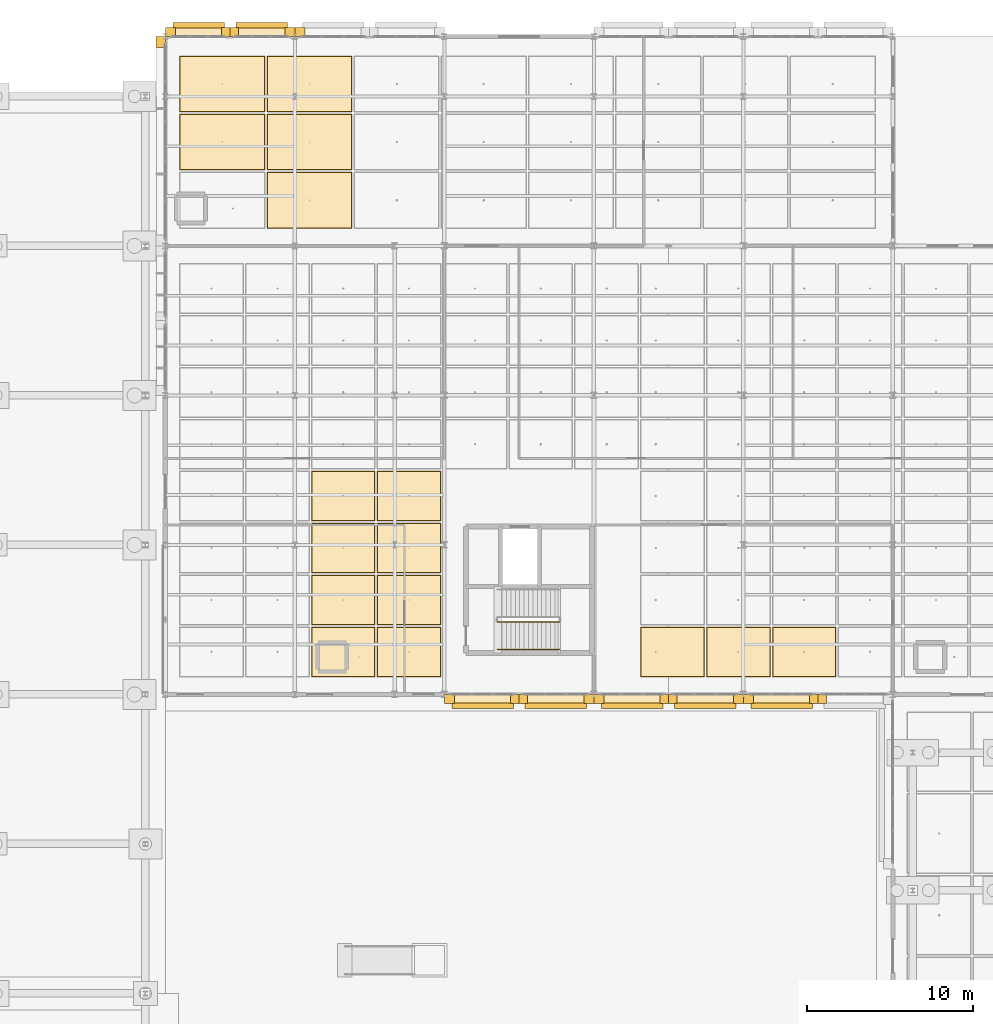
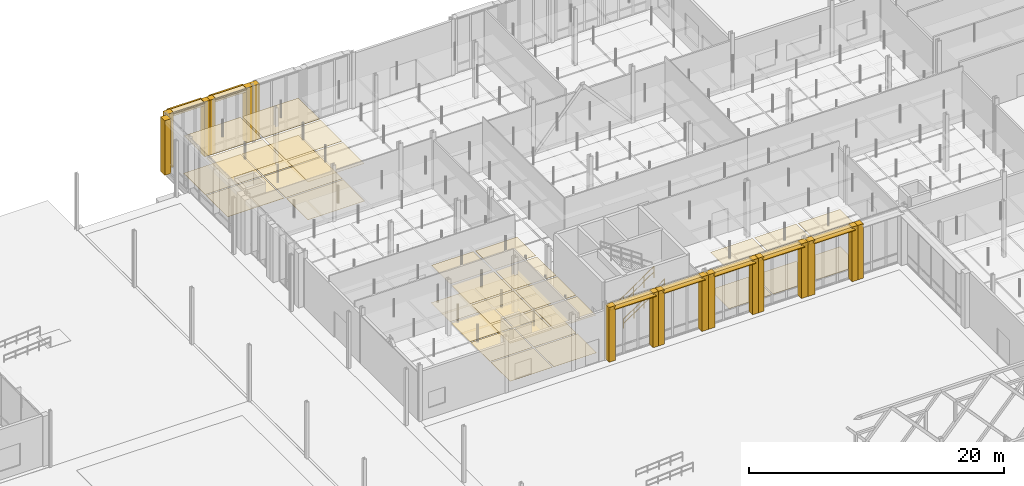
# One storey, part 172 of 180: 56 coverings, 7 shading devices, 2 railings.
"""IFC4 building model written with IfcOpenShell, lengths in metres."""

from ifc_helpers import new_model, si_unit, direction, frame, origin, origin_2d, place, context, subcontext, project, spatial, rectangle, circle, extrude, material, layer, layer_set, type_object, element, save


model = new_model("IFC4")

# Units and contexts
model_context = context("Model", 3, precision=1e-05, world=origin(), true_north=direction((0.0, 1.0)))
body_context = subcontext(model_context, "Body", "Model", "MODEL_VIEW")
ifc_project = project(units=[si_unit("LENGTHUNIT", "METRE"), si_unit("AREAUNIT", "SQUARE_METRE"), si_unit("VOLUMEUNIT", "CUBIC_METRE"), si_unit("PLANEANGLEUNIT", "RADIAN"), si_unit("MASSUNIT", "GRAM", prefix="KILO"), si_unit("THERMODYNAMICTEMPERATUREUNIT", "KELVIN"), si_unit("POWERUNIT", "WATT")], contexts=[model_context])

# Site, building, storey
site_placement = place(None, origin())
site = spatial("IfcSite", under=ifc_project, at=site_placement, CompositionType="ELEMENT")
building_placement = place(site_placement, origin())
building = spatial("IfcBuilding", under=site, at=building_placement, Name="Tallowbark Science Centre", CompositionType="ELEMENT")
storey_placement = place(building_placement, origin())
storey = spatial("IfcBuildingStorey", under=building, at=storey_placement, Name="L00", CompositionType="ELEMENT", Elevation=0.0)

# Coverings
ifc_material_1 = material(Name="Cleanable Vinyl-Faced Laboratory Ceiling Tile")
ifc_layer_1 = layer(ifc_material_1, 0.01611328125)
ifc_layer_set_1 = layer_set([ifc_layer_1], Name="Cleanable Vinyl-Faced Laboratory Ceiling Tile")
covering_type_1 = type_object("IfcCoveringType", Name="CLG-LAB-16", PredefinedType="CEILING", material=ifc_layer_set_1)
for number, where, z_axis, x_axis, name in (
    (1, (65.91064453125, 74.5625, 3.592041015625), (0.0, 0.0, 1.0), (1.0, 0.0, 0.0), "Suspended Ceiling L00-313"),
    (2, (65.91064453125, 77.6875, 3.592041015625), (0.0, 0.0, 1.0), (1.0, 0.0, 0.0), "Suspended Ceiling L00-314"),
    (3, (65.91064453125, 80.8125, 3.592041015625), (0.0, 0.0, 1.0), (1.0, 0.0, 0.0), "Suspended Ceiling L00-315"),
    (4, (65.91064453125, 83.9375, 3.592041015625), (0.0, 0.0, 1.0), (1.0, 0.0, 0.0), "Suspended Ceiling L00-316"),
    (5, (69.875, 74.5625, 3.592041015625), (0.0, 0.0, 1.0), (1.0, 0.0, 0.0), "Suspended Ceiling L00-321"),
    (6, (69.875, 77.6875, 3.592041015625), (0.0, 0.0, 1.0), (1.0, 0.0, 0.0), "Suspended Ceiling L00-322"),
    (7, (69.875, 80.8125, 3.592041015625), (0.0, 0.0, 1.0), (1.0, 0.0, 0.0), "Suspended Ceiling L00-323"),
    (8, (69.875, 83.9375, 3.592041015625), (0.0, 0.0, 1.0), (1.0, 0.0, 0.0), "Suspended Ceiling L00-324"),
    (9, (85.732177734375, 74.5625, 3.592041015625), (0.0, 0.0, 1.0), (1.0, 0.0, 0.0), "Suspended Ceiling L00-341"),
    (10, (89.6962890625, 74.5625, 3.592041015625), (0.0, 0.0, 1.0), (1.0, 0.0, 0.0), "Suspended Ceiling L00-349"),
    (11, (93.66064453125, 74.5625, 3.592041015625), (0.0, 0.0, 1.0), (1.0, 0.0, 0.0), "Suspended Ceiling L00-357"),
):
    element("IfcCovering", number, at=place(storey_placement, frame(where, z_axis=z_axis, x_axis=x_axis)), inside=storey, type_object=covering_type_1, Name=name, PredefinedType="CEILING", context=body_context, shape_type="SweptSolid", body=[
        extrude(rectangle(XDim=3.7841796875, YDim=2.945068359375, at=origin_2d()), origin(), (0.0, 0.0, 1.0), 0.01611328125),
    ])
ifc_material_2 = material(Name="Perforated Spotted Gum Acoustic Baffle Ceiling", Category="wood")
ifc_layer_2 = layer(ifc_material_2, 0.02490234375)
ifc_layer_set_2 = layer_set([ifc_layer_2], Name="Perforated Spotted Gum Acoustic Baffle Ceiling")
covering_type_2 = type_object("IfcCoveringType", Name="CLG-TIM-25", PredefinedType="CEILING", material=ifc_layer_set_2)
for number, where, z_axis, x_axis, name in (
    (12, (58.625, 105.25, 3.587646484375), (0.0, 0.0, 1.0), (1.0, 0.0, 0.0), "Suspended Ceiling L00-398"),
    (13, (58.625, 108.75, 3.587646484375), (0.0, 0.0, 1.0), (1.0, 0.0, 0.0), "Suspended Ceiling L00-399"),
    (14, (63.875, 101.75, 3.587646484375), (0.0, 0.0, 1.0), (1.0, 0.0, 0.0), "Suspended Ceiling L00-400"),
    (15, (63.875, 105.25, 3.587646484375), (0.0, 0.0, 1.0), (1.0, 0.0, 0.0), "Suspended Ceiling L00-401"),
    (16, (63.875, 108.75, 3.587646484375), (0.0, 0.0, 1.0), (1.0, 0.0, 0.0), "Suspended Ceiling L00-402"),
):
    element("IfcCovering", number, at=place(storey_placement, frame(where, z_axis=z_axis, x_axis=x_axis)), inside=storey, type_object=covering_type_2, Name=name, PredefinedType="CEILING", context=body_context, shape_type="SweptSolid", body=[
        extrude(rectangle(XDim=5.070068359375, YDim=3.320068359375, at=origin_2d()), origin(), (0.0, 0.0, 1.0), 0.02490234375),
    ])
ifc_material_3 = material(Name="White Architectural Precast Concrete Grade N40 (40 MPa)", Category="concrete")
ifc_layer_3 = layer(ifc_material_3, 0.1201171875)
ifc_layer_set_3 = layer_set([ifc_layer_3], Name="White Architectural Precast Concrete Grade N40 (40 MPa)")
covering_type_3 = type_object("IfcCoveringType", Name="COV-PRC-CLAD", PredefinedType="CLADDING", material=ifc_layer_set_3)
covering_1_placement = place(storey_placement, frame((72.304931640625, 71.719970703125, 0.0), z_axis=(0.0, 0.0, 1.0), x_axis=(1.0, 0.0, 0.0)))
element("IfcCovering", 17, at=covering_1_placement, inside=storey, type_object=covering_type_3, Name="Postmodern Deep Precast Pier CW-L00-022-1", PredefinedType="CLADDING", context=body_context, shape_type="SweptSolid", body=[
    extrude(rectangle(XDim=0.610107421875, YDim=0.56005859375, at=origin_2d()), origin(), (0.0, 0.0, 1.0), 5.219970703125),
])
for number, where, z_axis, x_axis, name in (
    (18, (76.2451171875, 71.719970703125, 0.0), (0.0, 0.0, 1.0), (1.0, 0.0, 0.0), "Postmodern Deep Precast Pier CW-L00-022-2"),
    (19, (76.7548828125, 71.719970703125, 0.0), (0.0, 0.0, 1.0), (1.0, 0.0, 0.0), "Postmodern Deep Precast Pier CW-L00-023-1"),
):
    element("IfcCovering", number, at=place(storey_placement, frame(where, z_axis=z_axis, x_axis=x_axis)), inside=storey, type_object=covering_type_3, Name=name, PredefinedType="CLADDING", context=body_context, shape_type="SweptSolid", body=[
        extrude(rectangle(XDim=0.510009765625, YDim=0.56005859375, at=origin_2d()), origin(), (0.0, 0.0, 1.0), 5.219970703125),
    ])
for number, where, z_axis, x_axis, name in (
    (20, (80.695068359375, 71.719970703125, 0.0), (0.0, 0.0, 1.0), (1.0, 0.0, 0.0), "Postmodern Deep Precast Pier CW-L00-023-2"),
    (21, (81.304931640625, 71.719970703125, 0.0), (0.0, 0.0, 1.0), (1.0, 0.0, 0.0), "Postmodern Deep Precast Pier CW-L00-024-1"),
):
    element("IfcCovering", number, at=place(storey_placement, frame(where, z_axis=z_axis, x_axis=x_axis)), inside=storey, type_object=covering_type_3, Name=name, PredefinedType="CLADDING", context=body_context, shape_type="SweptSolid", body=[
        extrude(rectangle(XDim=0.610107421875, YDim=0.56005859375, at=origin_2d()), origin(), (0.0, 0.0, 1.0), 5.219970703125),
    ])
for number, where, z_axis, x_axis, name in (
    (22, (85.2451171875, 71.719970703125, 0.0), (0.0, 0.0, 1.0), (1.0, 0.0, 0.0), "Postmodern Deep Precast Pier CW-L00-024-2"),
    (23, (85.7548828125, 71.719970703125, 0.0), (0.0, 0.0, 1.0), (1.0, 0.0, 0.0), "Postmodern Deep Precast Pier CW-L00-025-1"),
):
    element("IfcCovering", number, at=place(storey_placement, frame(where, z_axis=z_axis, x_axis=x_axis)), inside=storey, type_object=covering_type_3, Name=name, PredefinedType="CLADDING", context=body_context, shape_type="SweptSolid", body=[
        extrude(rectangle(XDim=0.510009765625, YDim=0.56005859375, at=origin_2d()), origin(), (0.0, 0.0, 1.0), 5.219970703125),
    ])
for number, where, z_axis, x_axis, name in (
    (24, (89.695068359375, 71.719970703125, 0.0), (0.0, 0.0, 1.0), (1.0, 0.0, 0.0), "Postmodern Deep Precast Pier CW-L00-025-2"),
    (25, (90.304931640625, 71.719970703125, 0.0), (0.0, 0.0, 1.0), (1.0, 0.0, 0.0), "Postmodern Deep Precast Pier CW-L00-026-1"),
):
    element("IfcCovering", number, at=place(storey_placement, frame(where, z_axis=z_axis, x_axis=x_axis)), inside=storey, type_object=covering_type_3, Name=name, PredefinedType="CLADDING", context=body_context, shape_type="SweptSolid", body=[
        extrude(rectangle(XDim=0.610107421875, YDim=0.56005859375, at=origin_2d()), origin(), (0.0, 0.0, 1.0), 5.219970703125),
    ])
for number, where, z_axis, x_axis, name in (
    (26, (94.2451171875, 71.719970703125, 0.0), (0.0, 0.0, 1.0), (1.0, 0.0, 0.0), "Postmodern Deep Precast Pier CW-L00-026-2"),
    (27, (94.7548828125, 71.719970703125, 0.0), (0.0, 0.0, 1.0), (1.0, 0.0, 0.0), "Postmodern Deep Precast Pier CW-L00-027-1"),
):
    element("IfcCovering", number, at=place(storey_placement, frame(where, z_axis=z_axis, x_axis=x_axis)), inside=storey, type_object=covering_type_3, Name=name, PredefinedType="CLADDING", context=body_context, shape_type="SweptSolid", body=[
        extrude(rectangle(XDim=0.510009765625, YDim=0.56005859375, at=origin_2d()), origin(), (0.0, 0.0, 1.0), 5.219970703125),
    ])
covering_2_placement = place(storey_placement, frame((62.695068359375, 111.8798828125, 0.0), z_axis=(0.0, 0.0, 1.0), x_axis=(-1.0, 0.0, 0.0)))
element("IfcCovering", 28, at=covering_2_placement, inside=storey, type_object=covering_type_3, Name="Postmodern Deep Precast Pier CW-L00-030-1", PredefinedType="CLADDING", context=body_context, shape_type="SweptSolid", body=[
    extrude(rectangle(XDim=0.610107421875, YDim=0.56005859375, at=origin_2d()), origin(), (0.0, 0.0, 1.0), 5.219970703125),
])
for number, where, z_axis, x_axis, name in (
    (29, (59.35498046875, 111.8798828125, 0.0), (0.0, 0.0, 1.0), (-1.0, 0.0, 0.0), "Postmodern Deep Precast Pier CW-L00-030-2"),
    (30, (58.844970703125, 111.8798828125, 0.0), (0.0, 0.0, 1.0), (-1.0, 0.0, 0.0), "Postmodern Deep Precast Pier CW-L00-031-1"),
):
    element("IfcCovering", number, at=place(storey_placement, frame(where, z_axis=z_axis, x_axis=x_axis)), inside=storey, type_object=covering_type_3, Name=name, PredefinedType="CLADDING", context=body_context, shape_type="SweptSolid", body=[
        extrude(rectangle(XDim=0.510009765625, YDim=0.56005859375, at=origin_2d()), origin(), (0.0, 0.0, 1.0), 5.219970703125),
    ])
for number, where, z_axis, x_axis, name in (
    (31, (55.5048828125, 111.8798828125, 0.0), (0.0, 0.0, 1.0), (-1.0, 0.0, 0.0), "Postmodern Deep Precast Pier CW-L00-031-2"),
    (32, (63.304931640625, 111.8798828125, 0.0), (0.0, 0.0, 1.0), (-1.0, 0.0, 0.0), "Postmodern Deep Precast Pier CW-L00-033-2"),
):
    element("IfcCovering", number, at=place(storey_placement, frame(where, z_axis=z_axis, x_axis=x_axis)), inside=storey, type_object=covering_type_3, Name=name, PredefinedType="CLADDING", context=body_context, shape_type="SweptSolid", body=[
        extrude(rectangle(XDim=0.610107421875, YDim=0.56005859375, at=origin_2d()), origin(), (0.0, 0.0, 1.0), 5.219970703125),
    ])
covering_3_placement = place(storey_placement, frame((54.919921875, 111.27001953125, 0.0), z_axis=(0.0, 0.0, 1.0), x_axis=(0.0, -1.0, 0.0)))
element("IfcCovering", 33, at=covering_3_placement, inside=storey, type_object=covering_type_3, Name="Postmodern Deep Precast Pier CW-L00-038-1", PredefinedType="CLADDING", context=body_context, shape_type="SweptSolid", body=[
    extrude(rectangle(XDim=0.659912109375, YDim=0.56005859375, at=origin_2d()), origin(), (0.0, 0.0, 1.0), 5.219970703125),
])
ifc_material_4 = material(Name="Vitrified Ochre Terracotta Architectural Rainscreen", Category="masonry")
ifc_layer_4 = layer(ifc_material_4, 0.0380859375)
ifc_layer_set_4 = layer_set([ifc_layer_4], Name="Vitrified Ochre Terracotta Architectural Rainscreen")
covering_type_4 = type_object("IfcCoveringType", Name="COV-TER-CLAD", PredefinedType="CLADDING", material=ifc_layer_set_4)
for number, where, z_axis, x_axis, name in (
    (34, (74.300048828125, 71.739990234375, 4.8701171875), (0.0, 0.0, 1.0), (1.0, 0.0, 0.0), "Postmodern Terracotta Cornice Band CW-L00-022"),
    (35, (78.699951171875, 71.739990234375, 4.8701171875), (0.0, 0.0, 1.0), (1.0, 0.0, 0.0), "Postmodern Terracotta Cornice Band CW-L00-023"),
    (36, (83.300048828125, 71.739990234375, 4.8701171875), (0.0, 0.0, 1.0), (1.0, 0.0, 0.0), "Postmodern Terracotta Cornice Band CW-L00-024"),
    (37, (87.699951171875, 71.739990234375, 4.8701171875), (0.0, 0.0, 1.0), (1.0, 0.0, 0.0), "Postmodern Terracotta Cornice Band CW-L00-025"),
    (38, (92.300048828125, 71.739990234375, 4.8701171875), (0.0, 0.0, 1.0), (1.0, 0.0, 0.0), "Postmodern Terracotta Cornice Band CW-L00-026"),
):
    element("IfcCovering", number, at=place(storey_placement, frame(where, z_axis=z_axis, x_axis=x_axis)), inside=storey, type_object=covering_type_4, Name=name, PredefinedType="CLADDING", context=body_context, shape_type="SweptSolid", body=[
        extrude(rectangle(XDim=4.300048828125, YDim=0.52001953125, at=origin_2d()), origin(), (0.0, 0.0, 1.0), 0.340087890625),
    ])
for number, where, z_axis, x_axis, name in (
    (39, (61.0, 111.860107421875, 4.8701171875), (0.0, 0.0, 1.0), (-1.0, 0.0, 0.0), "Postmodern Terracotta Cornice Band CW-L00-030"),
    (40, (57.199951171875, 111.860107421875, 4.8701171875), (0.0, 0.0, 1.0), (-1.0, 0.0, 0.0), "Postmodern Terracotta Cornice Band CW-L00-031"),
):
    element("IfcCovering", number, at=place(storey_placement, frame(where, z_axis=z_axis, x_axis=x_axis)), inside=storey, type_object=covering_type_4, Name=name, PredefinedType="CLADDING", context=body_context, shape_type="SweptSolid", body=[
        extrude(rectangle(XDim=3.699951171875, YDim=0.52001953125, at=origin_2d()), origin(), (0.0, 0.0, 1.0), 0.340087890625),
    ])
ifc_material_5 = material(Name="Polished Recycled-Glass Terrazzo Foyer Flooring", Category="glass")
ifc_layer_5 = layer(ifc_material_5, 0.02001953125)
ifc_layer_set_5 = layer_set([ifc_layer_5], Name="Polished Recycled-Glass Terrazzo Foyer Flooring")
covering_type_5 = type_object("IfcCoveringType", Name="FLR-TER-20", PredefinedType="FLOORING", material=ifc_layer_set_5)
for number, where, z_axis, x_axis, name in (
    (41, (58.625, 105.25, 0.0), (0.0, 0.0, 1.0), (1.0, 0.0, 0.0), "Floor Finish L00-398"),
    (42, (58.625, 108.75, 0.0), (0.0, 0.0, 1.0), (1.0, 0.0, 0.0), "Floor Finish L00-399"),
    (43, (63.875, 101.75, 0.0), (0.0, 0.0, 1.0), (1.0, 0.0, 0.0), "Floor Finish L00-400"),
    (44, (63.875, 105.25, 0.0), (0.0, 0.0, 1.0), (1.0, 0.0, 0.0), "Floor Finish L00-401"),
    (45, (63.875, 108.75, 0.0), (0.0, 0.0, 1.0), (1.0, 0.0, 0.0), "Floor Finish L00-402"),
):
    element("IfcCovering", number, at=place(storey_placement, frame(where, z_axis=z_axis, x_axis=x_axis)), inside=storey, type_object=covering_type_5, Name=name, PredefinedType="FLOORING", context=body_context, shape_type="SweptSolid", body=[
        extrude(rectangle(XDim=5.1298828125, YDim=3.3798828125, at=origin_2d()), origin(), (0.0, 0.0, 1.0), 0.02001953125),
    ])
ifc_material_6 = material(Name="Chemical-Resistant Seamless Laboratory Vinyl")
ifc_layer_6 = layer(ifc_material_6, 0.011962890625)
ifc_layer_set_6 = layer_set([ifc_layer_6], Name="Chemical-Resistant Seamless Laboratory Vinyl")
covering_type_6 = type_object("IfcCoveringType", Name="FLR-VIN-12", PredefinedType="FLOORING", material=ifc_layer_set_6)
for number, where, z_axis, x_axis, name in (
    (46, (65.91064453125, 74.5625, 0.0), (0.0, 0.0, 1.0), (1.0, 0.0, 0.0), "Floor Finish L00-313"),
    (47, (65.91064453125, 77.6875, 0.0), (0.0, 0.0, 1.0), (1.0, 0.0, 0.0), "Floor Finish L00-314"),
    (48, (65.91064453125, 80.8125, 0.0), (0.0, 0.0, 1.0), (1.0, 0.0, 0.0), "Floor Finish L00-315"),
    (49, (65.91064453125, 83.9375, 0.0), (0.0, 0.0, 1.0), (1.0, 0.0, 0.0), "Floor Finish L00-316"),
    (50, (69.875, 74.5625, 0.0), (0.0, 0.0, 1.0), (1.0, 0.0, 0.0), "Floor Finish L00-321"),
    (51, (69.875, 77.6875, 0.0), (0.0, 0.0, 1.0), (1.0, 0.0, 0.0), "Floor Finish L00-322"),
    (52, (69.875, 80.8125, 0.0), (0.0, 0.0, 1.0), (1.0, 0.0, 0.0), "Floor Finish L00-323"),
    (53, (69.875, 83.9375, 0.0), (0.0, 0.0, 1.0), (1.0, 0.0, 0.0), "Floor Finish L00-324"),
    (54, (85.732177734375, 74.5625, 0.0), (0.0, 0.0, 1.0), (1.0, 0.0, 0.0), "Floor Finish L00-341"),
    (55, (89.6962890625, 74.5625, 0.0), (0.0, 0.0, 1.0), (1.0, 0.0, 0.0), "Floor Finish L00-349"),
    (56, (93.66064453125, 74.5625, 0.0), (0.0, 0.0, 1.0), (1.0, 0.0, 0.0), "Floor Finish L00-357"),
):
    element("IfcCovering", number, at=place(storey_placement, frame(where, z_axis=z_axis, x_axis=x_axis)), inside=storey, type_object=covering_type_6, Name=name, PredefinedType="FLOORING", context=body_context, shape_type="SweptSolid", body=[
        extrude(rectangle(XDim=3.84423828125, YDim=3.0048828125, at=origin_2d()), origin(), (0.0, 0.0, 1.0), 0.011962890625),
    ])

# Railings
ifc_material_7 = material(Name="Galvanised Painted Steel and Laminated Glass Balustrade", Category="steel")
ifc_layer_7 = layer(ifc_material_7, 0.070068359375)
ifc_layer_set_7 = layer_set([ifc_layer_7], Name="Galvanised Painted Steel and Laminated Glass Balustrade")
railing_type_1 = type_object("IfcRailingType", Name="RLG-BAL-1150", PredefinedType="BALUSTRADE", material=ifc_layer_set_7)
railing_1_placement = place(storey_placement, frame((75.2099609375, 76.360107421875, 0.179931640625)))
element("IfcRailing", 57, at=railing_1_placement, inside=storey, type_object=railing_type_1, Name="L00 ST-01 stair guard 1", PredefinedType="BALUSTRADE", context=body_context, shape_type="SweptSolid", body=[
    extrude(circle(Radius=0.02392578125, at=origin_2d()), frame((0.0, 0.0, 1.076171875), z_axis=(0.827211917306, 0.0, 0.561890063861), x_axis=(0.0, 1.0, 0.0)), (0.0, 0.0, 1.0), 4.48486328125),
    extrude(circle(Radius=0.02392578125, at=origin_2d()), frame((0.0, 0.0, 0.550048828125), z_axis=(0.827211917306, 0.0, 0.561890063861), x_axis=(0.0, 1.0, 0.0)), (0.0, 0.0, 1.0), 4.48486328125),
    extrude(circle(Radius=0.02099609375, at=origin_2d()), origin(), (0.0, 0.0, 1.0), 1.052001953125),
    extrude(circle(Radius=0.02099609375, at=origin_2d()), frame((0.927490234375, 0.0, 0.6298828125)), (0.0, 0.0, 1.0), 1.052001953125),
    extrude(circle(Radius=0.02099609375, at=origin_2d()), frame((1.85498046875, 0.0, 1.260009765625)), (0.0, 0.0, 1.0), 1.052001953125),
    extrude(circle(Radius=0.02099609375, at=origin_2d()), frame((2.782470703125, 0.0, 1.89013671875)), (0.0, 0.0, 1.0), 1.052001953125),
    extrude(circle(Radius=0.02099609375, at=origin_2d()), frame((3.7099609375, 0.0, 2.52001953125)), (0.0, 0.0, 1.0), 1.052001953125),
])
ifc_material_8 = material(Name="Brushed Grade 316 Stainless Steel Handrail", Category="steel")
ifc_layer_8 = layer(ifc_material_8, 0.050048828125)
ifc_layer_set_8 = layer_set([ifc_layer_8], Name="Brushed Grade 316 Stainless Steel Handrail")
railing_type_2 = type_object("IfcRailingType", Name="RLG-HDR-950", PredefinedType="HANDRAIL", material=ifc_layer_set_8)
railing_2_placement = place(storey_placement, frame((75.2099609375, 74.699951171875, 0.179931640625)))
element("IfcRailing", 58, at=railing_2_placement, inside=storey, type_object=railing_type_2, Name="L00 ST-01 stair handrail 1", PredefinedType="HANDRAIL", context=body_context, shape_type="SweptSolid", body=[
    extrude(circle(Radius=0.02392578125, at=origin_2d()), frame((0.0, 0.0, 0.8759765625), z_axis=(0.827211917306, 0.0, 0.561890063861), x_axis=(0.0, 1.0, 0.0)), (0.0, 0.0, 1.0), 4.48486328125),
    extrude(circle(Radius=0.02392578125, at=origin_2d()), frame((0.0, 0.0, 0.449951171875), z_axis=(0.827211917306, 0.0, 0.561890063861), x_axis=(0.0, 1.0, 0.0)), (0.0, 0.0, 1.0), 4.48486328125),
    extrude(circle(Radius=0.02099609375, at=origin_2d()), origin(), (0.0, 0.0, 1.0), 0.851806640625),
    extrude(circle(Radius=0.02099609375, at=origin_2d()), frame((0.927490234375, 0.0, 0.6298828125)), (0.0, 0.0, 1.0), 0.851806640625),
    extrude(circle(Radius=0.02099609375, at=origin_2d()), frame((1.85498046875, 0.0, 1.260009765625)), (0.0, 0.0, 1.0), 0.851806640625),
    extrude(circle(Radius=0.02099609375, at=origin_2d()), frame((2.782470703125, 0.0, 1.89013671875)), (0.0, 0.0, 1.0), 0.851806640625),
    extrude(circle(Radius=0.02099609375, at=origin_2d()), frame((3.7099609375, 0.0, 2.52001953125)), (0.0, 0.0, 1.0), 0.851806640625),
])

# Shading devices
ifc_material_9 = material(Name="Terracotta-Anodised Extruded Aluminium Sunshade Blade", Category="masonry")
ifc_layer_9 = layer(ifc_material_9, 0.054931640625)
ifc_layer_set_9 = layer_set([ifc_layer_9], Name="Terracotta-Anodised Extruded Aluminium Sunshade Blade")
shading_device_type = type_object("IfcShadingDeviceType", Name="SHD-LVR-300", PredefinedType="AWNING", material=ifc_layer_set_9)
for number, where, z_axis, x_axis, name in (
    (59, (74.300048828125, 71.580078125, 5.03271484375), (0.0, 0.0, 1.0), (1.0, 0.0, 0.0), "Horizontal Solar Louvre Hood CW-L00-022"),
    (60, (78.699951171875, 71.580078125, 5.03271484375), (0.0, 0.0, 1.0), (1.0, 0.0, 0.0), "Horizontal Solar Louvre Hood CW-L00-023"),
    (61, (83.300048828125, 71.580078125, 5.03271484375), (0.0, 0.0, 1.0), (1.0, 0.0, 0.0), "Horizontal Solar Louvre Hood CW-L00-024"),
    (62, (87.699951171875, 71.580078125, 5.03271484375), (0.0, 0.0, 1.0), (1.0, 0.0, 0.0), "Horizontal Solar Louvre Hood CW-L00-025"),
    (63, (92.300048828125, 71.580078125, 5.03271484375), (0.0, 0.0, 1.0), (1.0, 0.0, 0.0), "Horizontal Solar Louvre Hood CW-L00-026"),
):
    element("IfcShadingDevice", number, at=place(storey_placement, frame(where, z_axis=z_axis, x_axis=x_axis)), inside=storey, type_object=shading_device_type, Name=name, PredefinedType="AWNING", context=body_context, shape_type="SweptSolid", body=[
        extrude(rectangle(XDim=3.699951171875, YDim=0.840087890625, at=origin_2d()), origin(), (0.0, 0.0, 1.0), 0.054931640625),
    ])
for number, where, z_axis, x_axis, name in (
    (64, (61.0, 112.02001953125, 5.03271484375), (0.0, 0.0, 1.0), (-1.0, 0.0, 0.0), "Horizontal Solar Louvre Hood CW-L00-030"),
    (65, (57.199951171875, 112.02001953125, 5.03271484375), (0.0, 0.0, 1.0), (-1.0, 0.0, 0.0), "Horizontal Solar Louvre Hood CW-L00-031"),
):
    element("IfcShadingDevice", number, at=place(storey_placement, frame(where, z_axis=z_axis, x_axis=x_axis)), inside=storey, type_object=shading_device_type, Name=name, PredefinedType="AWNING", context=body_context, shape_type="SweptSolid", body=[
        extrude(rectangle(XDim=3.10009765625, YDim=0.840087890625, at=origin_2d()), origin(), (0.0, 0.0, 1.0), 0.054931640625),
    ])

save(model, "model.ifc")
